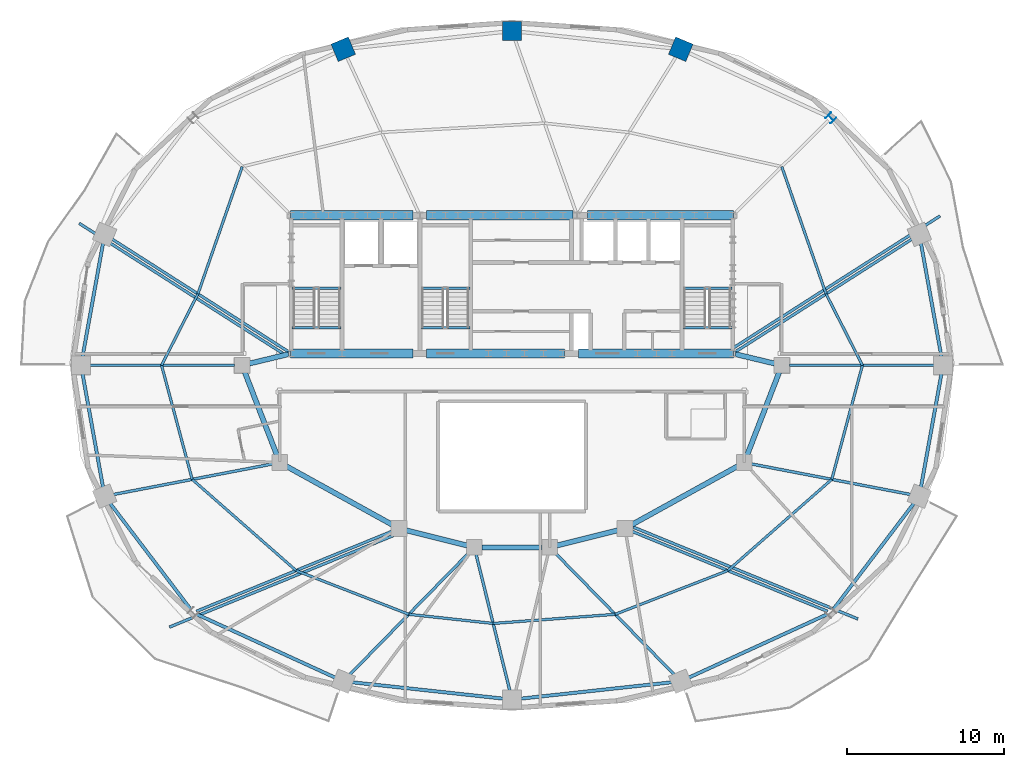
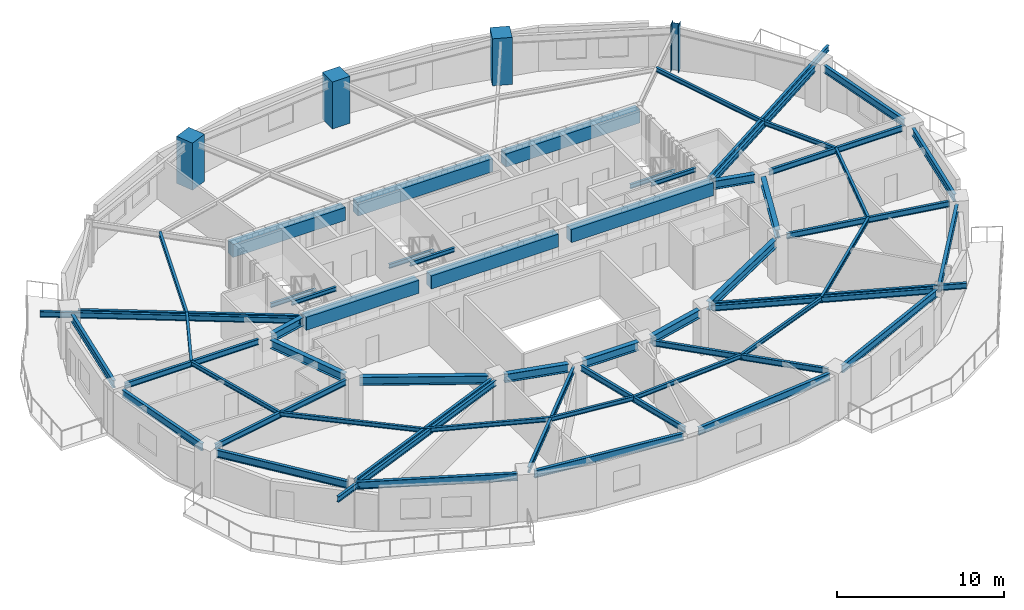
# One storey, part 2 of 11: 58 beams, 4 columns.
"""IFC4 building model written with IfcOpenShell, lengths in metres."""

from ifc_helpers import new_model, si_unit, direction, frame, origin, origin_2d, place, context, subcontext, project, spatial, rectangle, i_section, extrude, material, material_profile, profile_set, type_object, element, save


model = new_model("IFC4")

# Units and contexts
model_context = context("Model", 3, precision=1e-05, world=origin(), true_north=direction((0.0, 1.0)))
body_context = subcontext(model_context, "Body", "Model", "MODEL_VIEW")
ifc_project = project(units=[si_unit("LENGTHUNIT", "METRE"), si_unit("AREAUNIT", "SQUARE_METRE"), si_unit("VOLUMEUNIT", "CUBIC_METRE"), si_unit("PLANEANGLEUNIT", "RADIAN"), si_unit("MASSUNIT", "GRAM", prefix="KILO")], contexts=[model_context])

# Site, building, storey
site_placement = place(None, origin())
site = spatial("IfcSite", under=ifc_project, at=site_placement, CompositionType="ELEMENT")
building_placement = place(site_placement, origin())
building = spatial("IfcBuilding", under=site, at=building_placement, Name="Haldorwick Loom Tower", CompositionType="ELEMENT")
storey_placement = place(building_placement, frame((0.0, 0.0, 211.75)))
storey = spatial("IfcBuildingStorey", under=building, at=storey_placement, Name="L57", CompositionType="ELEMENT", Elevation=211.75)

# Columns
ifc_material_1 = material(Name="Concrete C60 (60 MPa)", Category="concrete")
ifc_material_profile_1 = material_profile(ifc_material_1, rectangle(XDim=1.199951171875, YDim=1.199951171875, at=origin_2d()), Name="RC1200X1200", Category="concrete")
ifc_profile_set_1 = profile_set([ifc_material_profile_1], Name="Concrete C60 (60 MPa)")
column_type_1 = type_object("IfcColumnType", Name="STR-COL-RC1200", PredefinedType="COLUMN", material=ifc_profile_set_1)
for number, where, z_axis, x_axis, name in (
    (1, (46.75341796875, 46.140625, 0.0), (0.0, 0.0, 1.0), (0.382683432365, 0.923879532511, 0.0), "L57 Perimeter Pier Column P04"),
    (2, (36.0, 47.304931640625, 0.0), (0.0, 0.0, 1.0), (0.0, 1.0, 0.0), "L57 Perimeter Pier Column P05"),
    (3, (25.24658203125, 46.140625, 0.0), (0.0, 0.0, 1.0), (-0.382683432365, 0.923879532511, 0.0), "L57 Perimeter Pier Column P06"),
):
    element("IfcColumn", number, at=place(storey_placement, frame(where, z_axis=z_axis, x_axis=x_axis)), inside=storey, type_object=column_type_1, Name=name, PredefinedType="COLUMN", context=body_context, shape_type="SweptSolid", body=[
        extrude(rectangle(XDim=1.199951171875, YDim=1.199951171875, at=origin_2d()), origin(), (0.0, 0.0, 1.0), 3.449951171875),
    ])
ifc_material_2 = material(Name="Steel CSA G40.21 350WT", Category="steel")
ifc_material_profile_2 = material_profile(ifc_material_2, i_section(OverallWidth=0.5, OverallDepth=0.5, WebThickness=0.02197265625, FlangeThickness=0.031982421875, at=origin_2d()), Name="WWF500X500", Category="steel")
ifc_profile_set_2 = profile_set([ifc_material_profile_2], Name="Steel CSA G40.21 350WT")
column_type_2 = type_object("IfcColumnType", Name="STR-COL-WWF500", PredefinedType="COLUMN", material=ifc_profile_set_2)
column_placement = place(storey_placement, frame((56.317626953125, 41.764892578125, 0.0), z_axis=(0.0, 0.0, 1.0), x_axis=(0.707106781187, 0.707106781187, 0.0)))
element("IfcColumn", 4, at=column_placement, inside=storey, type_object=column_type_2, Name="L57 Perimeter Pier Column P03", PredefinedType="COLUMN", context=body_context, shape_type="SweptSolid", body=[
    extrude(i_section(OverallWidth=0.5, OverallDepth=0.5, WebThickness=0.02197265625, FlangeThickness=0.031982421875, at=origin_2d()), origin(), (0.0, 0.0, 1.0), 3.449951171875),
])

# Beams
ifc_material_3 = material(Name="Steel CSA G40.21 350W", Category="steel")
ifc_material_profile_3 = material_profile(ifc_material_3, i_section(OverallWidth=0.179931640625, OverallDepth=0.4130859375, WebThickness=0.009765625, FlangeThickness=0.01611328125, at=origin_2d()), Name="W410X74", Category="steel")
ifc_profile_set_3 = profile_set([ifc_material_profile_3], Name="Steel CSA G40.21 350W")
beam_type_1 = type_object("IfcBeamType", Name="STR-BM-BAL410", PredefinedType="BEAM", material=ifc_profile_set_3)
beam_1_placement = place(storey_placement, frame((43.74560546875, 15.679443359375, 3.00341796875), z_axis=(0.925580184245, -0.378551611451, 0.0), x_axis=(0.378551611451, 0.925580184245, 0.0)))
element("IfcBeam", 5, at=beam_1_placement, inside=storey, type_object=beam_type_1, Name="L57 Continuous Back-Spanned Balcony Beam 1", PredefinedType="BEAM", context=body_context, shape_type="SweptSolid", body=[
    extrude(i_section(OverallWidth=0.179931640625, OverallDepth=0.4130859375, WebThickness=0.009765625, FlangeThickness=0.01611328125, at=origin_2d()), origin(), (0.0, 0.0, 1.0), 15.447509765625),
])
beam_2_placement = place(storey_placement, frame((28.46630859375, 15.160888671875, 3.00341796875), z_axis=(-0.925585721791, -0.378538071556, 0.0), x_axis=(0.378538071556, -0.925585721791, 0.0)))
element("IfcBeam", 6, at=beam_2_placement, inside=storey, type_object=beam_type_1, Name="L57 Continuous Back-Spanned Balcony Beam 2", PredefinedType="BEAM", context=body_context, shape_type="SweptSolid", body=[
    extrude(i_section(OverallWidth=0.179931640625, OverallDepth=0.4130859375, WebThickness=0.009765625, FlangeThickness=0.01611328125, at=origin_2d()), origin(), (0.0, 0.0, 1.0), 15.447265625),
])
for number, where, z_axis, x_axis, name in (
    (7, (21.62939453125, 26.60986328125, 3.00341796875), (-0.842844376394, 0.538157372133, 0.0), (-0.538157372133, -0.842844376394, 0.0), "L57 Continuous Back-Spanned Balcony Beam 3"),
    (8, (50.0693359375, 27.081787109375, 3.00341796875), (0.842844376394, 0.538157372133, 0.0), (-0.538157372133, 0.842844376394, 0.0), "L57 Continuous Back-Spanned Balcony Beam 4"),
):
    element("IfcBeam", number, at=place(storey_placement, frame(where, z_axis=z_axis, x_axis=x_axis)), inside=storey, type_object=beam_type_1, Name=name, PredefinedType="BEAM", context=body_context, shape_type="SweptSolid", body=[
        extrude(i_section(OverallWidth=0.179931640625, OverallDepth=0.4130859375, WebThickness=0.009765625, FlangeThickness=0.01611328125, at=origin_2d()), origin(), (0.0, 0.0, 1.0), 15.680419921875),
    ])
ifc_material_4 = material(Name="Concrete C50 (50 MPa)", Category="concrete")
ifc_material_profile_4 = material_profile(ifc_material_4, rectangle(XDim=0.60009765625, YDim=0.949951171875, at=origin_2d()), Name="RC600X950", Category="concrete")
ifc_profile_set_4 = profile_set([ifc_material_profile_4], Name="Concrete C50 (50 MPa)")
beam_type_2 = type_object("IfcBeamType", Name="STR-BM-CB950", PredefinedType="LINTEL", material=ifc_profile_set_4)
beam_3_placement = place(storey_placement, frame((21.89990234375, 35.550048828125, 2.735107421875), z_axis=(1.0, 0.0, 0.0), x_axis=(0.0, 1.0, 0.0)))
element("IfcBeam", 9, at=beam_3_placement, inside=storey, type_object=beam_type_2, Name="L57 Core Coupling Beam CB-N1", PredefinedType="LINTEL", context=body_context, shape_type="SweptSolid", body=[
    extrude(rectangle(XDim=0.60009765625, YDim=0.949951171875, at=origin_2d()), origin(), (0.0, 0.0, 1.0), 7.800048828125),
])
beam_4_placement = place(storey_placement, frame((30.550048828125, 35.550048828125, 2.735107421875), z_axis=(1.0, 0.0, 0.0), x_axis=(0.0, 1.0, 0.0)))
element("IfcBeam", 10, at=beam_4_placement, inside=storey, type_object=beam_type_2, Name="L57 Core Coupling Beam CB-N2", PredefinedType="LINTEL", context=body_context, shape_type="SweptSolid", body=[
    extrude(rectangle(XDim=0.60009765625, YDim=0.949951171875, at=origin_2d()), origin(), (0.0, 0.0, 1.0), 9.349853515625),
])
beam_5_placement = place(storey_placement, frame((40.800048828125, 35.550048828125, 2.735107421875), z_axis=(1.0, 0.0, 0.0), x_axis=(0.0, 1.0, 0.0)))
element("IfcBeam", 11, at=beam_5_placement, inside=storey, type_object=beam_type_2, Name="L57 Core Coupling Beam CB-N3", PredefinedType="LINTEL", context=body_context, shape_type="SweptSolid", body=[
    extrude(rectangle(XDim=0.60009765625, YDim=0.949951171875, at=origin_2d()), origin(), (0.0, 0.0, 1.0), 9.300048828125),
])
beam_6_placement = place(storey_placement, frame((21.89990234375, 26.75, 2.735107421875), z_axis=(1.0, 0.0, 0.0), x_axis=(0.0, 1.0, 0.0)))
element("IfcBeam", 12, at=beam_6_placement, inside=storey, type_object=beam_type_2, Name="L57 Core Coupling Beam CB-S1", PredefinedType="LINTEL", context=body_context, shape_type="SweptSolid", body=[
    extrude(rectangle(XDim=0.60009765625, YDim=0.949951171875, at=origin_2d()), origin(), (0.0, 0.0, 1.0), 7.800048828125),
])
beam_7_placement = place(storey_placement, frame((30.550048828125, 26.75, 2.735107421875), z_axis=(1.0, 0.0, 0.0), x_axis=(0.0, 1.0, 0.0)))
element("IfcBeam", 13, at=beam_7_placement, inside=storey, type_object=beam_type_2, Name="L57 Core Coupling Beam CB-S2", PredefinedType="LINTEL", context=body_context, shape_type="SweptSolid", body=[
    extrude(rectangle(XDim=0.60009765625, YDim=0.949951171875, at=origin_2d()), origin(), (0.0, 0.0, 1.0), 8.800048828125),
])
beam_8_placement = place(storey_placement, frame((40.25, 26.75, 2.735107421875), z_axis=(1.0, 0.0, 0.0), x_axis=(0.0, 1.0, 0.0)))
element("IfcBeam", 14, at=beam_8_placement, inside=storey, type_object=beam_type_2, Name="L57 Core Coupling Beam CB-S3", PredefinedType="LINTEL", context=body_context, shape_type="SweptSolid", body=[
    extrude(rectangle(XDim=0.60009765625, YDim=0.949951171875, at=origin_2d()), origin(), (0.0, 0.0, 1.0), 9.85009765625),
])
ifc_material_profile_5 = material_profile(ifc_material_3, i_section(OverallWidth=0.166015625, OverallDepth=0.31298828125, WebThickness=0.006591796875, FlangeThickness=0.01123046875, at=origin_2d()), Name="W310X45", Category="steel")
ifc_profile_set_5 = profile_set([ifc_material_profile_5], Name="Steel CSA G40.21 350W")
beam_type_3 = type_object("IfcBeamType", Name="STR-BM-J310", PredefinedType="JOIST", material=ifc_profile_set_5)
beam_9_placement = place(storey_placement, frame((58.333251953125, 26.0, 3.053466796875), z_axis=(-0.454203827517, 0.890897796085, 0.0), x_axis=(-0.890897796085, -0.454203827517, 0.0)))
element("IfcBeam", 15, at=beam_9_placement, inside=storey, type_object=beam_type_3, Name="L57 Mid-Bay Secondary Joist 1", PredefinedType="JOIST", context=body_context, shape_type="SweptSolid", body=[
    extrude(i_section(OverallWidth=0.166015625, OverallDepth=0.31298828125, WebThickness=0.006591796875, FlangeThickness=0.01123046875, at=origin_2d()), origin(), (0.0, 0.0, 1.0), 5.103271484375),
])
for number, where, z_axis, x_axis, name in (
    (16, (56.015380859375, 30.54638671875, 3.053466796875), (-0.328550395803, 0.944486441098, 0.0), (-0.944486441098, -0.328550395803, 0.0), "L57 Mid-Bay Secondary Joist 2"),
    (17, (18.80615234375, 38.657470703125, 3.053466796875), (-0.328550395803, -0.944486441098, 0.0), (0.944486441098, -0.328550395803, 0.0), "L57 Mid-Bay Secondary Joist 7"),
):
    element("IfcBeam", number, at=place(storey_placement, frame(where, z_axis=z_axis, x_axis=x_axis)), inside=storey, type_object=beam_type_3, Name=name, PredefinedType="JOIST", context=body_context, shape_type="SweptSolid", body=[
        extrude(i_section(OverallWidth=0.166015625, OverallDepth=0.31298828125, WebThickness=0.006591796875, FlangeThickness=0.01123046875, at=origin_2d()), origin(), (0.0, 0.0, 1.0), 8.587890625),
    ])
beam_10_placement = place(storey_placement, frame((15.984619140625, 30.54638671875, 3.053466796875), z_axis=(-0.454203827517, -0.890897796085, 0.0), x_axis=(0.890897796085, -0.454203827517, 0.0)))
element("IfcBeam", 18, at=beam_10_placement, inside=storey, type_object=beam_type_3, Name="L57 Mid-Bay Secondary Joist 8", PredefinedType="JOIST", context=body_context, shape_type="SweptSolid", body=[
    extrude(i_section(OverallWidth=0.166015625, OverallDepth=0.31298828125, WebThickness=0.006591796875, FlangeThickness=0.01123046875, at=origin_2d()), origin(), (0.0, 0.0, 1.0), 5.103271484375),
])
beam_11_placement = place(storey_placement, frame((13.666748046875, 26.0, 3.053466796875), z_axis=(0.259353588718, -0.965782437208, 0.0), x_axis=(0.965782437208, 0.259353588718, 0.0)))
element("IfcBeam", 19, at=beam_11_placement, inside=storey, type_object=beam_type_3, Name="L57 Mid-Bay Secondary Joist 9", PredefinedType="JOIST", context=body_context, shape_type="SweptSolid", body=[
    extrude(i_section(OverallWidth=0.166015625, OverallDepth=0.31298828125, WebThickness=0.006591796875, FlangeThickness=0.01123046875, at=origin_2d()), origin(), (0.0, 0.0, 1.0), 7.52880859375),
])
beam_12_placement = place(storey_placement, frame((15.619384765625, 18.728759765625, 3.053466796875), z_axis=(0.751609427289, -0.659608420815, 0.0), x_axis=(0.659608420815, 0.751609427289, 0.0)))
element("IfcBeam", 20, at=beam_12_placement, inside=storey, type_object=beam_type_3, Name="L57 Mid-Bay Secondary Joist 10", PredefinedType="JOIST", context=body_context, shape_type="SweptSolid", body=[
    extrude(i_section(OverallWidth=0.166015625, OverallDepth=0.31298828125, WebThickness=0.006591796875, FlangeThickness=0.01123046875, at=origin_2d()), origin(), (0.0, 0.0, 1.0), 8.810302734375),
])
beam_13_placement = place(storey_placement, frame((22.2412109375, 12.91748046875, 3.053466796875), z_axis=(0.932232852675, -0.36185896202, 0.0), x_axis=(0.36185896202, 0.932232852675, 0.0)))
element("IfcBeam", 21, at=beam_13_placement, inside=storey, type_object=beam_type_3, Name="L57 Mid-Bay Secondary Joist 11", PredefinedType="JOIST", context=body_context, shape_type="SweptSolid", body=[
    extrude(i_section(OverallWidth=0.166015625, OverallDepth=0.31298828125, WebThickness=0.006591796875, FlangeThickness=0.01123046875, at=origin_2d()), origin(), (0.0, 0.0, 1.0), 7.7041015625),
])
beam_14_placement = place(storey_placement, frame((29.42333984375, 10.129638671875, 3.053466796875), z_axis=(0.994191913888, -0.107621737398, 0.0), x_axis=(0.107621737398, 0.994191913888, 0.0)))
element("IfcBeam", 22, at=beam_14_placement, inside=storey, type_object=beam_type_3, Name="L57 Mid-Bay Secondary Joist 12", PredefinedType="JOIST", context=body_context, shape_type="SweptSolid", body=[
    extrude(i_section(OverallWidth=0.166015625, OverallDepth=0.31298828125, WebThickness=0.006591796875, FlangeThickness=0.01123046875, at=origin_2d()), origin(), (0.0, 0.0, 1.0), 5.408203125),
])
beam_15_placement = place(storey_placement, frame((34.800048828125, 9.547607421875, 3.053466796875), z_axis=(0.997210913817, 0.074635067923, 0.0), x_axis=(-0.074635067923, 0.997210913817, 0.0)))
element("IfcBeam", 23, at=beam_15_placement, inside=storey, type_object=beam_type_3, Name="L57 Mid-Bay Secondary Joist 13", PredefinedType="JOIST", context=body_context, shape_type="SweptSolid", body=[
    extrude(i_section(OverallWidth=0.166015625, OverallDepth=0.31298828125, WebThickness=0.006591796875, FlangeThickness=0.01123046875, at=origin_2d()), origin(), (0.0, 0.0, 1.0), 7.79833984375),
])
beam_16_placement = place(storey_placement, frame((42.57666015625, 10.129638671875, 3.053466796875), z_axis=(0.932232852675, 0.36185896202, 0.0), x_axis=(-0.36185896202, 0.932232852675, 0.0)))
element("IfcBeam", 24, at=beam_16_placement, inside=storey, type_object=beam_type_3, Name="L57 Mid-Bay Secondary Joist 14", PredefinedType="JOIST", context=body_context, shape_type="SweptSolid", body=[
    extrude(i_section(OverallWidth=0.166015625, OverallDepth=0.31298828125, WebThickness=0.006591796875, FlangeThickness=0.01123046875, at=origin_2d()), origin(), (0.0, 0.0, 1.0), 7.7041015625),
])
beam_17_placement = place(storey_placement, frame((49.7587890625, 12.91748046875, 3.053466796875), z_axis=(0.751609427289, 0.659608420815, 0.0), x_axis=(-0.659608420815, 0.751609427289, 0.0)))
element("IfcBeam", 25, at=beam_17_placement, inside=storey, type_object=beam_type_3, Name="L57 Mid-Bay Secondary Joist 15", PredefinedType="JOIST", context=body_context, shape_type="SweptSolid", body=[
    extrude(i_section(OverallWidth=0.166015625, OverallDepth=0.31298828125, WebThickness=0.006591796875, FlangeThickness=0.01123046875, at=origin_2d()), origin(), (0.0, 0.0, 1.0), 8.810302734375),
])
beam_18_placement = place(storey_placement, frame((56.380615234375, 18.728759765625, 3.053466796875), z_axis=(0.259353588718, 0.965782437208, 0.0), x_axis=(-0.965782437208, 0.259353588718, 0.0)))
element("IfcBeam", 26, at=beam_18_placement, inside=storey, type_object=beam_type_3, Name="L57 Mid-Bay Secondary Joist 16", PredefinedType="JOIST", context=body_context, shape_type="SweptSolid", body=[
    extrude(i_section(OverallWidth=0.166015625, OverallDepth=0.31298828125, WebThickness=0.006591796875, FlangeThickness=0.01123046875, at=origin_2d()), origin(), (0.0, 0.0, 1.0), 7.52880859375),
])
ifc_material_profile_6 = material_profile(ifc_material_3, i_section(OverallWidth=0.179931640625, OverallDepth=0.4130859375, WebThickness=0.009765625, FlangeThickness=0.01611328125, at=origin_2d()), Name="W410X74", Category="steel")
ifc_profile_set_6 = profile_set([ifc_material_profile_6], Name="Steel CSA G40.21 350W")
beam_type_4 = type_object("IfcBeamType", Name="STR-BM-J410", PredefinedType="JOIST", material=ifc_profile_set_6)
beam_19_placement = place(storey_placement, frame((53.675048828125, 26.0, 3.00341796875), z_axis=(1.0, 0.0, 0.0), x_axis=(0.0, 1.0, 0.0)))
element("IfcBeam", 27, at=beam_19_placement, inside=storey, type_object=beam_type_4, Name="L57 Radial Floor Girder 1", PredefinedType="JOIST", context=body_context, shape_type="SweptSolid", body=[
    extrude(i_section(OverallWidth=0.179931640625, OverallDepth=0.4130859375, WebThickness=0.009765625, FlangeThickness=0.01611328125, at=origin_2d()), origin(), (0.0, 0.0, 1.0), 9.271240234375),
])
for number, where, z_axis, x_axis, name in (
    (28, (50.219970703125, 26.845703125, 3.00341796875), (0.842836647066, 0.538169477361, 0.0), (-0.538169477361, 0.842836647066, 0.0), "L57 Radial Floor Girder 2"),
    (29, (21.780029296875, 26.845703125, 3.00341796875), (-0.842836647066, 0.538169477361, 0.0), (-0.538169477361, -0.842836647066, 0.0), "L57 Radial Floor Girder 8"),
):
    element("IfcBeam", number, at=place(storey_placement, frame(where, z_axis=z_axis, x_axis=x_axis)), inside=storey, type_object=beam_type_4, Name=name, PredefinedType="JOIST", context=body_context, shape_type="SweptSolid", body=[
        extrude(i_section(OverallWidth=0.179931640625, OverallDepth=0.4130859375, WebThickness=0.009765625, FlangeThickness=0.01611328125, at=origin_2d()), origin(), (0.0, 0.0, 1.0), 13.410400390625),
    ])
beam_20_placement = place(storey_placement, frame((18.324951171875, 26.0, 3.00341796875), z_axis=(-1.0, 0.0, 0.0), x_axis=(0.0, -1.0, 0.0)))
element("IfcBeam", 30, at=beam_20_placement, inside=storey, type_object=beam_type_4, Name="L57 Radial Floor Girder 9", PredefinedType="JOIST", context=body_context, shape_type="SweptSolid", body=[
    extrude(i_section(OverallWidth=0.179931640625, OverallDepth=0.4130859375, WebThickness=0.009765625, FlangeThickness=0.01611328125, at=origin_2d()), origin(), (0.0, 0.0, 1.0), 9.271240234375),
])
beam_21_placement = place(storey_placement, frame((20.7333984375, 19.71044921875, 3.00341796875), z_axis=(-0.982069869785, -0.188517295919, 0.0), x_axis=(0.188517295919, -0.982069869785, 0.0)))
element("IfcBeam", 31, at=beam_21_placement, inside=storey, type_object=beam_type_4, Name="L57 Radial Floor Girder 10", PredefinedType="JOIST", context=body_context, shape_type="SweptSolid", body=[
    extrude(i_section(OverallWidth=0.179931640625, OverallDepth=0.4130859375, WebThickness=0.009765625, FlangeThickness=0.01611328125, at=origin_2d()), origin(), (0.0, 0.0, 1.0), 10.36962890625),
])
beam_22_placement = place(storey_placement, frame((28.3603515625, 15.420166015625, 3.00341796875), z_axis=(-0.925583323606, -0.378543935445, 0.0), x_axis=(0.378543935445, -0.925583323606, 0.0)))
element("IfcBeam", 32, at=beam_22_placement, inside=storey, type_object=beam_type_4, Name="L57 Radial Floor Girder 11", PredefinedType="JOIST", context=body_context, shape_type="SweptSolid", body=[
    extrude(i_section(OverallWidth=0.179931640625, OverallDepth=0.4130859375, WebThickness=0.009765625, FlangeThickness=0.01611328125, at=origin_2d()), origin(), (0.0, 0.0, 1.0), 13.47216796875),
])
beam_23_placement = place(storey_placement, frame((33.267822265625, 14.060302734375, 3.00341796875), z_axis=(-0.699238682239, -0.714888288658, 0.0), x_axis=(0.714888288658, -0.699238682239, 0.0)))
element("IfcBeam", 33, at=beam_23_placement, inside=storey, type_object=beam_type_4, Name="L57 Radial Floor Girder 12", PredefinedType="JOIST", context=body_context, shape_type="SweptSolid", body=[
    extrude(i_section(OverallWidth=0.179931640625, OverallDepth=0.4130859375, WebThickness=0.009765625, FlangeThickness=0.01611328125, at=origin_2d()), origin(), (0.0, 0.0, 1.0), 10.951416015625),
])
beam_24_placement = place(storey_placement, frame((33.714111328125, 13.93896484375, 3.00341796875), z_axis=(0.240059013303, -0.970758296453, 0.0), x_axis=(0.970758296453, 0.240059013303, 0.0)))
element("IfcBeam", 34, at=beam_24_placement, inside=storey, type_object=beam_type_4, Name="L57 Radial Floor Girder 13", PredefinedType="JOIST", context=body_context, shape_type="SweptSolid", body=[
    extrude(i_section(OverallWidth=0.179931640625, OverallDepth=0.4130859375, WebThickness=0.009765625, FlangeThickness=0.01611328125, at=origin_2d()), origin(), (0.0, 0.0, 1.0), 9.00244140625),
])
beam_25_placement = place(storey_placement, frame((38.732177734375, 14.060302734375, 3.00341796875), z_axis=(0.699238682239, -0.714888288658, 0.0), x_axis=(0.714888288658, 0.699238682239, 0.0)))
element("IfcBeam", 35, at=beam_25_placement, inside=storey, type_object=beam_type_4, Name="L57 Radial Floor Girder 14", PredefinedType="JOIST", context=body_context, shape_type="SweptSolid", body=[
    extrude(i_section(OverallWidth=0.179931640625, OverallDepth=0.4130859375, WebThickness=0.009765625, FlangeThickness=0.01611328125, at=origin_2d()), origin(), (0.0, 0.0, 1.0), 10.951416015625),
])
beam_26_placement = place(storey_placement, frame((43.6396484375, 15.420166015625, 3.00341796875), z_axis=(0.925583323606, -0.378543935445, 0.0), x_axis=(0.378543935445, 0.925583323606, 0.0)))
element("IfcBeam", 36, at=beam_26_placement, inside=storey, type_object=beam_type_4, Name="L57 Radial Floor Girder 15", PredefinedType="JOIST", context=body_context, shape_type="SweptSolid", body=[
    extrude(i_section(OverallWidth=0.179931640625, OverallDepth=0.4130859375, WebThickness=0.009765625, FlangeThickness=0.01611328125, at=origin_2d()), origin(), (0.0, 0.0, 1.0), 13.47216796875),
])
beam_27_placement = place(storey_placement, frame((51.2666015625, 19.71044921875, 3.00341796875), z_axis=(0.982069869785, -0.188517295919, 0.0), x_axis=(0.188517295919, 0.982069869785, 0.0)))
element("IfcBeam", 37, at=beam_27_placement, inside=storey, type_object=beam_type_4, Name="L57 Radial Floor Girder 16", PredefinedType="JOIST", context=body_context, shape_type="SweptSolid", body=[
    extrude(i_section(OverallWidth=0.179931640625, OverallDepth=0.4130859375, WebThickness=0.009765625, FlangeThickness=0.01611328125, at=origin_2d()), origin(), (0.0, 0.0, 1.0), 10.36962890625),
])
ifc_material_profile_7 = material_profile(ifc_material_3, i_section(OverallWidth=0.2119140625, OverallDepth=0.5439453125, WebThickness=0.01318359375, FlangeThickness=0.021240234375, at=origin_2d()), Name="W530X123", Category="steel")
ifc_profile_set_7 = profile_set([ifc_material_profile_7], Name="Steel CSA G40.21 350W")
beam_type_5 = type_object("IfcBeamType", Name="STR-BM-SP530", PredefinedType="SPANDREL", material=ifc_profile_set_7)
for number, where, z_axis, x_axis, name in (
    (38, (63.3740234375, 26.51171875, 2.93798828125), (-0.1775911332, 0.984104359003, 0.0), (-0.984104359003, -0.1775911332, 0.0), "L57 Perimeter Spandrel 1"),
    (39, (9.94677734375, 33.830810546875, 2.93798828125), (-0.1775911332, -0.984104359003, 0.0), (0.984104359003, -0.1775911332, 0.0), "L57 Perimeter Spandrel 8"),
    (40, (8.6259765625, 25.48828125, 2.93798828125), (0.1775911332, -0.984104359003, 0.0), (0.984104359003, 0.1775911332, 0.0), "L57 Perimeter Spandrel 9"),
):
    element("IfcBeam", number, at=place(storey_placement, frame(where, z_axis=z_axis, x_axis=x_axis)), inside=storey, type_object=beam_type_5, Name=name, PredefinedType="SPANDREL", context=body_context, shape_type="SweptSolid", body=[
        extrude(i_section(OverallWidth=0.2119140625, OverallDepth=0.5439453125, WebThickness=0.01318359375, FlangeThickness=0.021240234375, at=origin_2d()), origin(), (0.0, 0.0, 1.0), 7.437255859375),
    ])
beam_28_placement = place(storey_placement, frame((10.353759765625, 17.24365234375, 2.93798828125), z_axis=(0.605236944797, -0.796045376001, 0.0), x_axis=(0.796045376001, 0.605236944797, 0.0)))
element("IfcBeam", 41, at=beam_28_placement, inside=storey, type_object=beam_type_5, Name="L57 Perimeter Spandrel 10", PredefinedType="SPANDREL", context=body_context, shape_type="SweptSolid", body=[
    extrude(i_section(OverallWidth=0.2119140625, OverallDepth=0.5439453125, WebThickness=0.01318359375, FlangeThickness=0.021240234375, at=origin_2d()), origin(), (0.0, 0.0, 1.0), 8.5791015625),
])
beam_29_placement = place(storey_placement, frame((15.886962890625, 10.1416015625, 2.93798828125), z_axis=(0.909342182232, -0.416049030299, 0.0), x_axis=(0.416049030299, 0.909342182232, 0.0)))
element("IfcBeam", 42, at=beam_29_placement, inside=storey, type_object=beam_type_5, Name="L57 Perimeter Spandrel 11", PredefinedType="SPANDREL", context=body_context, shape_type="SweptSolid", body=[
    extrude(i_section(OverallWidth=0.2119140625, OverallDepth=0.5439453125, WebThickness=0.01318359375, FlangeThickness=0.021240234375, at=origin_2d()), origin(), (0.0, 0.0, 1.0), 9.772705078125),
])
for number, where, z_axis, x_axis, name in (
    (43, (25.763671875, 5.803466796875, 2.93798828125), (0.994187774205, -0.107659972233, 0.0), (0.107659972233, 0.994187774205, 0.0), "L57 Perimeter Spandrel 12"),
    (44, (36.51708984375, 4.7509765625, 2.93798828125), (0.994187774205, 0.107659972233, 0.0), (-0.107659972233, 0.994187774205, 0.0), "L57 Perimeter Spandrel 13"),
):
    element("IfcBeam", number, at=place(storey_placement, frame(where, z_axis=z_axis, x_axis=x_axis)), inside=storey, type_object=beam_type_5, Name=name, PredefinedType="SPANDREL", context=body_context, shape_type="SweptSolid", body=[
        extrude(i_section(OverallWidth=0.2119140625, OverallDepth=0.5439453125, WebThickness=0.01318359375, FlangeThickness=0.021240234375, at=origin_2d()), origin(), (0.0, 0.0, 1.0), 9.776123046875),
    ])
beam_30_placement = place(storey_placement, frame((47.226318359375, 6.07568359375, 2.93798828125), z_axis=(0.909342182232, 0.416049030299, 0.0), x_axis=(-0.416049030299, 0.909342182232, 0.0)))
element("IfcBeam", 45, at=beam_30_placement, inside=storey, type_object=beam_type_5, Name="L57 Perimeter Spandrel 14", PredefinedType="SPANDREL", context=body_context, shape_type="SweptSolid", body=[
    extrude(i_section(OverallWidth=0.2119140625, OverallDepth=0.5439453125, WebThickness=0.01318359375, FlangeThickness=0.021240234375, at=origin_2d()), origin(), (0.0, 0.0, 1.0), 9.772705078125),
])
beam_31_placement = place(storey_placement, frame((56.453857421875, 10.414306640625, 2.93798828125), z_axis=(0.605236944797, 0.796045376001, 0.0), x_axis=(-0.796045376001, 0.605236944797, 0.0)))
element("IfcBeam", 46, at=beam_31_placement, inside=storey, type_object=beam_type_5, Name="L57 Perimeter Spandrel 15", PredefinedType="SPANDREL", context=body_context, shape_type="SweptSolid", body=[
    extrude(i_section(OverallWidth=0.2119140625, OverallDepth=0.5439453125, WebThickness=0.01318359375, FlangeThickness=0.021240234375, at=origin_2d()), origin(), (0.0, 0.0, 1.0), 8.5791015625),
])
beam_32_placement = place(storey_placement, frame((62.05322265625, 18.169189453125, 2.93798828125), z_axis=(0.1775911332, 0.984104359003, 0.0), x_axis=(-0.984104359003, 0.1775911332, 0.0)))
element("IfcBeam", 47, at=beam_32_placement, inside=storey, type_object=beam_type_5, Name="L57 Perimeter Spandrel 16", PredefinedType="SPANDREL", context=body_context, shape_type="SweptSolid", body=[
    extrude(i_section(OverallWidth=0.2119140625, OverallDepth=0.5439453125, WebThickness=0.01318359375, FlangeThickness=0.021240234375, at=origin_2d()), origin(), (0.0, 0.0, 1.0), 7.437255859375),
])
ifc_material_profile_8 = material_profile(ifc_material_3, i_section(OverallWidth=0.166015625, OverallDepth=0.31298828125, WebThickness=0.006591796875, FlangeThickness=0.01123046875, at=origin_2d()), Name="W310X45", Category="steel")
ifc_profile_set_8 = profile_set([ifc_material_profile_8], Name="Steel CSA G40.21 350W")
beam_type_6 = type_object("IfcBeamType", Name="STR-BM-STRM", PredefinedType="BEAM", material=ifc_profile_set_8)
for number, where, z_axis, x_axis, name in (
    (48, (21.989990234375, 28.39990234375, 3.053466796875), (1.0, 0.0, 0.0), (0.0, 1.0, 0.0), "L57 Stair ST-01 Landing Edge Trimmer"),
    (49, (21.989990234375, 30.919921875, 1.368408203125), (1.0, 0.0, 0.0), (0.0, 1.0, 0.0), "L57 Stair ST-01 Half-Landing Trimmer 1"),
    (50, (46.889892578125, 28.39990234375, 3.053466796875), (1.0, 0.0, 0.0), (0.0, 1.0, 0.0), "L57 Stair ST-02 Landing Edge Trimmer"),
    (51, (46.889892578125, 30.919921875, 1.368408203125), (1.0, 0.0, 0.0), (0.0, 1.0, 0.0), "L57 Stair ST-02 Half-Landing Trimmer 1"),
    (52, (30.18994140625, 28.39990234375, 3.053466796875), (1.0, 0.0, 0.0), (0.0, 1.0, 0.0), "L57 Stair ST-03 Landing Edge Trimmer"),
    (53, (30.18994140625, 30.919921875, 1.368408203125), (1.0, 0.0, 0.0), (0.0, 1.0, 0.0), "L57 Stair ST-03 Half-Landing Trimmer 1"),
):
    element("IfcBeam", number, at=place(storey_placement, frame(where, z_axis=z_axis, x_axis=x_axis)), inside=storey, type_object=beam_type_6, Name=name, PredefinedType="BEAM", context=body_context, shape_type="SweptSolid", body=[
        extrude(i_section(OverallWidth=0.166015625, OverallDepth=0.31298828125, WebThickness=0.006591796875, FlangeThickness=0.01123046875, at=origin_2d()), origin(), (0.0, 0.0, 1.0), 3.1201171875),
    ])
ifc_material_profile_9 = material_profile(ifc_material_3, i_section(OverallWidth=0.324951171875, OverallDepth=0.615966796875, WebThickness=0.013916015625, FlangeThickness=0.021484375, at=origin_2d()), Name="W610X174", Category="steel")
ifc_profile_set_9 = profile_set([ifc_material_profile_9], Name="Steel CSA G40.21 350W")
beam_type_7 = type_object("IfcBeamType", Name="STR-BM-W610A", PredefinedType="BEAM", material=ifc_profile_set_9)
beam_33_placement = place(storey_placement, frame((50.2431640625, 26.70849609375, 2.902099609375), z_axis=(0.972464127734, -0.233052612665, 0.0), x_axis=(0.233052612665, 0.972464127734, 0.0)))
element("IfcBeam", 54, at=beam_33_placement, inside=storey, type_object=beam_type_7, Name="L57 Inner Ring Girder 1", PredefinedType="BEAM", context=body_context, shape_type="SweptSolid", body=[
    extrude(i_section(OverallWidth=0.324951171875, OverallDepth=0.615966796875, WebThickness=0.013916015625, FlangeThickness=0.021484375, at=origin_2d()), origin(), (0.0, 0.0, 1.0), 2.5654296875),
])
beam_34_placement = place(storey_placement, frame((53.028564453125, 25.556884765625, 2.902099609375), z_axis=(-0.36101093026, -0.93256158415, 0.0), x_axis=(0.93256158415, -0.36101093026, 0.0)))
element("IfcBeam", 55, at=beam_34_placement, inside=storey, type_object=beam_type_7, Name="L57 Inner Ring Girder 2", PredefinedType="BEAM", context=body_context, shape_type="SweptSolid", body=[
    extrude(i_section(OverallWidth=0.324951171875, OverallDepth=0.615966796875, WebThickness=0.013916015625, FlangeThickness=0.021484375, at=origin_2d()), origin(), (0.0, 0.0, 1.0), 5.6982421875),
])
beam_35_placement = place(storey_placement, frame((50.38427734375, 19.5703125, 2.902099609375), z_axis=(-0.875243645673, -0.483682293152, 0.0), x_axis=(0.483682293152, -0.875243645673, 0.0)))
element("IfcBeam", 56, at=beam_35_placement, inside=storey, type_object=beam_type_7, Name="L57 Inner Ring Girder 3", PredefinedType="BEAM", context=body_context, shape_type="SweptSolid", body=[
    extrude(i_section(OverallWidth=0.324951171875, OverallDepth=0.615966796875, WebThickness=0.013916015625, FlangeThickness=0.021484375, at=origin_2d()), origin(), (0.0, 0.0, 1.0), 7.7333984375),
])
beam_36_placement = place(storey_placement, frame((42.7392578125, 15.48486328125, 2.902099609375), z_axis=(-0.970135315182, -0.242564363081, 0.0), x_axis=(0.242564363081, -0.970135315182, 0.0)))
element("IfcBeam", 57, at=beam_36_placement, inside=storey, type_object=beam_type_7, Name="L57 Inner Ring Girder 4", PredefinedType="BEAM", context=body_context, shape_type="SweptSolid", body=[
    extrude(i_section(OverallWidth=0.324951171875, OverallDepth=0.615966796875, WebThickness=0.013916015625, FlangeThickness=0.021484375, at=origin_2d()), origin(), (0.0, 0.0, 1.0), 3.997802734375),
])
beam_37_placement = place(storey_placement, frame((37.925048828125, 14.39990234375, 2.902099609375), z_axis=(-1.0, 0.0, 0.0), x_axis=(0.0, -1.0, 0.0)))
element("IfcBeam", 58, at=beam_37_placement, inside=storey, type_object=beam_type_7, Name="L57 Inner Ring Girder 5", PredefinedType="BEAM", context=body_context, shape_type="SweptSolid", body=[
    extrude(i_section(OverallWidth=0.324951171875, OverallDepth=0.615966796875, WebThickness=0.013916015625, FlangeThickness=0.021484375, at=origin_2d()), origin(), (0.0, 0.0, 1.0), 3.85009765625),
])
beam_38_placement = place(storey_placement, frame((33.13916015625, 14.51513671875, 2.902099609375), z_axis=(-0.970135315182, 0.242564363081, 0.0), x_axis=(-0.242564363081, -0.970135315182, 0.0)))
element("IfcBeam", 59, at=beam_38_placement, inside=storey, type_object=beam_type_7, Name="L57 Inner Ring Girder 6", PredefinedType="BEAM", context=body_context, shape_type="SweptSolid", body=[
    extrude(i_section(OverallWidth=0.324951171875, OverallDepth=0.615966796875, WebThickness=0.013916015625, FlangeThickness=0.021484375, at=origin_2d()), origin(), (0.0, 0.0, 1.0), 3.997802734375),
])
beam_39_placement = place(storey_placement, frame((28.38427734375, 15.829833984375, 2.902099609375), z_axis=(-0.875243645673, 0.483682293152, 0.0), x_axis=(-0.483682293152, -0.875243645673, 0.0)))
element("IfcBeam", 60, at=beam_39_placement, inside=storey, type_object=beam_type_7, Name="L57 Inner Ring Girder 7", PredefinedType="BEAM", context=body_context, shape_type="SweptSolid", body=[
    extrude(i_section(OverallWidth=0.324951171875, OverallDepth=0.615966796875, WebThickness=0.013916015625, FlangeThickness=0.021484375, at=origin_2d()), origin(), (0.0, 0.0, 1.0), 7.7333984375),
])
beam_40_placement = place(storey_placement, frame((21.028564453125, 20.242919921875, 2.902099609375), z_axis=(-0.36101093026, 0.93256158415, 0.0), x_axis=(-0.93256158415, -0.36101093026, 0.0)))
element("IfcBeam", 61, at=beam_40_placement, inside=storey, type_object=beam_type_7, Name="L57 Inner Ring Girder 8", PredefinedType="BEAM", context=body_context, shape_type="SweptSolid", body=[
    extrude(i_section(OverallWidth=0.324951171875, OverallDepth=0.615966796875, WebThickness=0.013916015625, FlangeThickness=0.021484375, at=origin_2d()), origin(), (0.0, 0.0, 1.0), 5.6982421875),
])
beam_41_placement = place(storey_placement, frame((19.261962890625, 26.110595703125, 2.902099609375), z_axis=(0.972464127734, 0.233052612665, 0.0), x_axis=(-0.233052612665, 0.972464127734, 0.0)))
element("IfcBeam", 62, at=beam_41_placement, inside=storey, type_object=beam_type_7, Name="L57 Inner Ring Girder 9", PredefinedType="BEAM", context=body_context, shape_type="SweptSolid", body=[
    extrude(i_section(OverallWidth=0.324951171875, OverallDepth=0.615966796875, WebThickness=0.013916015625, FlangeThickness=0.021484375, at=origin_2d()), origin(), (0.0, 0.0, 1.0), 2.5654296875),
])

save(model, "model.ifc")
